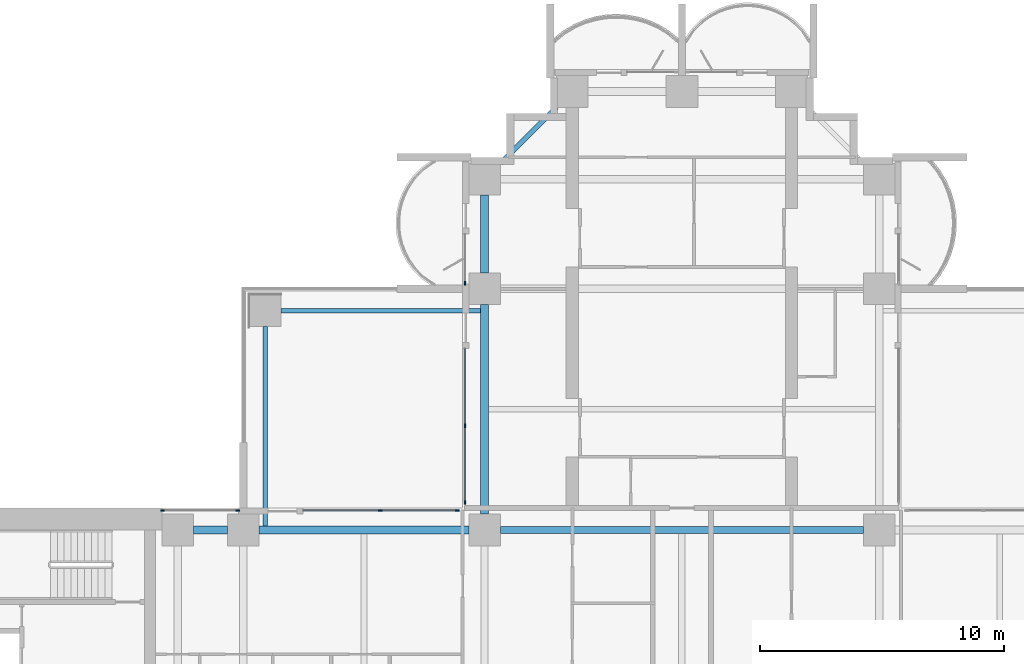
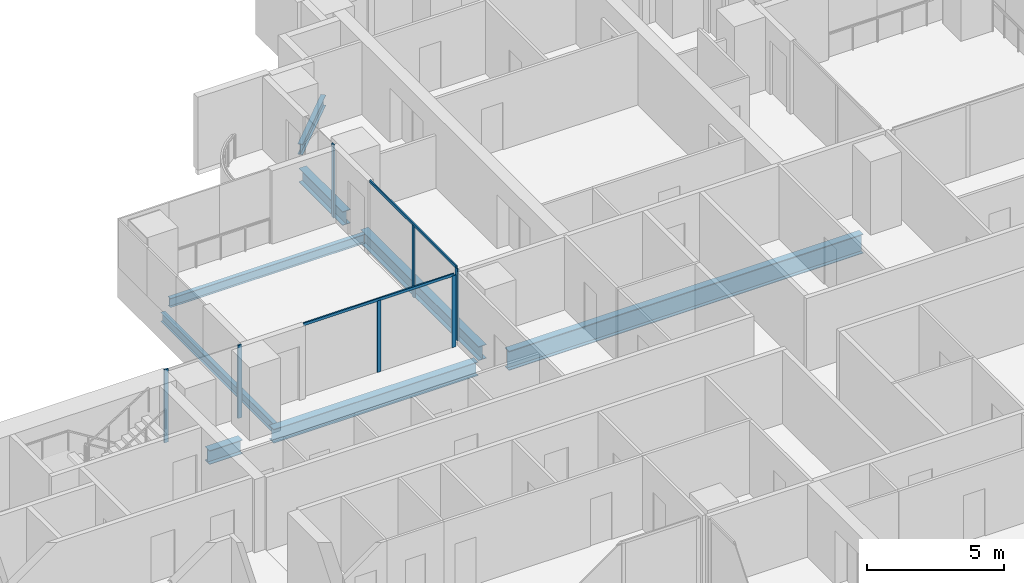
# One storey, part 5 of 21: 9 members, 8 beams, 4 elements without a shape of their own.
"""IFC4 building model written with IfcOpenShell, lengths in metres."""

from ifc_helpers import new_model, si_unit, direction, frame, origin, origin_2d, place, context, subcontext, project, spatial, rectangle, i_section, extrude, material, material_profile, profile_set, type_object, element, aggregate, save


model = new_model("IFC4")

# Units and contexts
model_context = context("Model", 3, precision=1e-05, world=origin(), true_north=direction((0.0, 1.0)))
body_context = subcontext(model_context, "Body", "Model", "MODEL_VIEW")
ifc_project = project(units=[si_unit("LENGTHUNIT", "METRE"), si_unit("AREAUNIT", "SQUARE_METRE"), si_unit("VOLUMEUNIT", "CUBIC_METRE"), si_unit("PLANEANGLEUNIT", "RADIAN"), si_unit("MASSUNIT", "GRAM", prefix="KILO")], contexts=[model_context])

# Site, building, storey
site_placement = place(None, origin())
site = spatial("IfcSite", under=ifc_project, at=site_placement, CompositionType="ELEMENT")
building_placement = place(site_placement, origin())
building = spatial("IfcBuilding", under=site, at=building_placement, Name="Perihelion Cross Residences", CompositionType="ELEMENT")
storey_placement = place(building_placement, frame((0.0, 0.0, 54.0)))
storey = spatial("IfcBuildingStorey", under=building, at=storey_placement, Name="L10", CompositionType="ELEMENT", Elevation=54.0)

# Curtain wall, member
ifc_material_1 = material(Name="Bronze anodised aluminium, tinted glazing", Category="aluminium")
curtain_wall_type = type_object("IfcCurtainWallType", Name="CW1", PredefinedType="NOTDEFINED", material=ifc_material_1)
curtain_wall_1_placement = place(storey_placement, origin())
curtain_wall_1 = element("IfcCurtainWall", 1, at=curtain_wall_1_placement, inside=storey, type_object=curtain_wall_type, Name="Curtain wall CW1 L10 north side west bay 1", PredefinedType="NOTDEFINED")
ifc_material_2 = material(Name="Bronze anodised aluminium", Category="aluminium")
ifc_material_profile_1 = material_profile(ifc_material_2, rectangle(XDim=0.06005859375, YDim=0.159912109375, at=origin_2d()), Name="CW1 mullion")
ifc_profile_set_1 = profile_set([ifc_material_profile_1], Name="Bronze anodised aluminium")
member_type_1 = type_object("IfcMemberType", Name="CW1 mullion", PredefinedType="MULLION", material=ifc_profile_set_1)
member_1_placement = place(storey_placement, frame((-8.89990234375, 18.22998046875, 0.0), z_axis=(0.0, 0.0, 1.0), x_axis=(1.0, 0.0, 0.0)))
member_1 = element("IfcMember", 2, at=member_1_placement, type_object=member_type_1, Name="CW1 mullion 2", PredefinedType="MULLION", context=body_context, shape_type="SweptSolid", body=[
    extrude(rectangle(XDim=0.06005859375, YDim=0.159912109375, at=origin_2d()), origin(), (0.0, 0.0, 1.0), 3.25),
])
aggregate(curtain_wall_1, [member_1])

# Curtain wall, members
curtain_wall_2_placement = place(storey_placement, origin())
curtain_wall_2 = element("IfcCurtainWall", 3, at=curtain_wall_2_placement, inside=storey, type_object=curtain_wall_type, Name="Curtain wall CW1 L10 north side west bay 2", PredefinedType="NOTDEFINED")
member_2_placement = place(storey_placement, frame((-8.89990234375, 12.375, 0.0), z_axis=(0.0, 0.0, 1.0), x_axis=(1.0, 0.0, 0.0)))
member_2 = element("IfcMember", 4, at=member_2_placement, type_object=member_type_1, Name="CW1 mullion 2", PredefinedType="MULLION", context=body_context, shape_type="SweptSolid", body=[
    extrude(rectangle(XDim=0.06005859375, YDim=0.159912109375, at=origin_2d()), origin(), (0.0, 0.0, 1.0), 3.18994140625),
])
member_3_placement = place(storey_placement, frame((-8.89990234375, 9.22998046875, 0.0), z_axis=(0.0, 0.0, 1.0), x_axis=(1.0, 0.0, 0.0)))
member_3 = element("IfcMember", 5, at=member_3_placement, type_object=member_type_1, Name="CW1 mullion 3", PredefinedType="MULLION", context=body_context, shape_type="SweptSolid", body=[
    extrude(rectangle(XDim=0.06005859375, YDim=0.159912109375, at=origin_2d()), origin(), (0.0, 0.0, 1.0), 3.18994140625),
])

curtain_wall_3_placement = place(storey_placement, origin())
curtain_wall_3 = element("IfcCurtainWall", 6, at=curtain_wall_3_placement, inside=storey, type_object=curtain_wall_type, Name="Curtain wall CW1 L10 west side north bay 1", PredefinedType="NOTDEFINED")
member_4_placement = place(storey_placement, frame((-9.22998046875, 8.89990234375, 0.0), z_axis=(0.0, 0.0, 1.0), x_axis=(0.0, -1.0, 0.0)))
member_4 = element("IfcMember", 7, at=member_4_placement, type_object=member_type_1, Name="CW1 mullion 1", PredefinedType="MULLION", context=body_context, shape_type="SweptSolid", body=[
    extrude(rectangle(XDim=0.06005859375, YDim=0.159912109375, at=origin_2d()), origin(), (0.0, 0.0, 1.0), 3.18994140625),
])
member_5_placement = place(storey_placement, frame((-12.375, 8.89990234375, 0.0), z_axis=(0.0, 0.0, 1.0), x_axis=(0.0, -1.0, 0.0)))
member_5 = element("IfcMember", 8, at=member_5_placement, type_object=member_type_1, Name="CW1 mullion 2", PredefinedType="MULLION", context=body_context, shape_type="SweptSolid", body=[
    extrude(rectangle(XDim=0.06005859375, YDim=0.159912109375, at=origin_2d()), origin(), (0.0, 0.0, 1.0), 3.18994140625),
])

curtain_wall_4_placement = place(storey_placement, origin())
curtain_wall_4 = element("IfcCurtainWall", 9, at=curtain_wall_4_placement, inside=storey, type_object=curtain_wall_type, Name="Curtain wall CW1 L10 west side north bay 2", PredefinedType="NOTDEFINED")
member_6_placement = place(storey_placement, frame((-18.22998046875, 8.89990234375, 0.0), z_axis=(0.0, 0.0, 1.0), x_axis=(0.0, -1.0, 0.0)))
member_6 = element("IfcMember", 10, at=member_6_placement, type_object=member_type_1, Name="CW1 mullion 1", PredefinedType="MULLION", context=body_context, shape_type="SweptSolid", body=[
    extrude(rectangle(XDim=0.06005859375, YDim=0.159912109375, at=origin_2d()), origin(), (0.0, 0.0, 1.0), 3.25),
])
member_7_placement = place(storey_placement, frame((-21.320068359375, 8.89990234375, 0.0), z_axis=(0.0, 0.0, 1.0), x_axis=(0.0, -1.0, 0.0)))
member_7 = element("IfcMember", 11, at=member_7_placement, type_object=member_type_1, Name="CW1 mullion 2", PredefinedType="MULLION", context=body_context, shape_type="SweptSolid", body=[
    extrude(rectangle(XDim=0.06005859375, YDim=0.159912109375, at=origin_2d()), origin(), (0.0, 0.0, 1.0), 3.25),
])
aggregate(curtain_wall_4, [member_6, member_7])

# Member
ifc_material_3 = material(Name="Bronze anodised aluminium", Category="aluminium")
ifc_material_profile_2 = material_profile(ifc_material_3, rectangle(XDim=0.06005859375, YDim=0.1201171875, at=origin_2d()), Name="CW1 transom")
ifc_profile_set_2 = profile_set([ifc_material_profile_2], Name="Bronze anodised aluminium")
member_type_2 = type_object("IfcMemberType", Name="CW1 transom", PredefinedType="USERDEFINED", material=ifc_profile_set_2)
member_8_placement = place(storey_placement, frame((-8.89990234375, 15.550048828125, 3.219970703125), z_axis=(0.0, -1.0, 0.0), x_axis=(1.0, 0.0, 0.0)))
member_8 = element("IfcMember", 12, at=member_8_placement, type_object=member_type_2, Name="CW1 head transom", ObjectType="TRANSOM", PredefinedType="USERDEFINED", context=body_context, shape_type="SweptSolid", body=[
    extrude(rectangle(XDim=0.06005859375, YDim=0.1201171875, at=origin_2d()), origin(), (0.0, 0.0, 1.0), 6.320068359375),
])

aggregate(curtain_wall_2, [member_2, member_3, member_8])

member_9_placement = place(storey_placement, frame((-9.22998046875, 8.89990234375, 3.219970703125), z_axis=(-1.0, 0.0, 0.0), x_axis=(0.0, -1.0, 0.0)))
member_9 = element("IfcMember", 13, at=member_9_placement, type_object=member_type_2, Name="CW1 head transom", ObjectType="TRANSOM", PredefinedType="USERDEFINED", context=body_context, shape_type="SweptSolid", body=[
    extrude(rectangle(XDim=0.06005859375, YDim=0.1201171875, at=origin_2d()), origin(), (0.0, 0.0, 1.0), 6.320068359375),
])

aggregate(curtain_wall_3, [member_4, member_5, member_9])

# Beams
ifc_material_4 = material(Name="Steel S355", Category="steel")
ifc_material_profile_3 = material_profile(ifc_material_4, i_section(OverallWidth=0.177978515625, OverallDepth=0.406005859375, WebThickness=0.0078125, FlangeThickness=0.0126953125, at=origin_2d()), Name="W410x60")
ifc_profile_set_3 = profile_set([ifc_material_profile_3], Name="Steel S355")
beam_type_1 = type_object("IfcBeamType", Name="Core edge beam W410x60", PredefinedType="BEAM", material=ifc_profile_set_3)
for number, where, z_axis, x_axis, name in (
    (14, (-17.10009765625, 8.262451171875, -0.452880859375), (0.0, 1.0, 0.0), (-1.0, 0.0, 0.0), "Core edge beam TB2 L10 corner no. 3"),
    (15, (-8.262451171875, 17.10009765625, -0.452880859375), (-1.0, 0.0, 0.0), (0.0, -1.0, 0.0), "Core edge beam TB2 L10 corner no. 4"),
):
    element("IfcBeam", number, at=place(storey_placement, frame(where, z_axis=z_axis, x_axis=x_axis)), inside=storey, type_object=beam_type_1, Name=name, PredefinedType="BEAM", context=body_context, shape_type="SweptSolid", body=[
        extrude(i_section(OverallWidth=0.177978515625, OverallDepth=0.406005859375, WebThickness=0.0078125, FlangeThickness=0.0126953125, at=origin_2d()), origin(), (0.0, 0.0, 1.0), 8.1875),
    ])
ifc_material_5 = material(Name="Steel S355", Category="steel")
ifc_material_profile_4 = material_profile(ifc_material_5, i_section(OverallWidth=0.324951171875, OverallDepth=0.616943359375, WebThickness=0.013916015625, FlangeThickness=0.021484375, at=origin_2d()), Name="W610x174")
ifc_profile_set_4 = profile_set([ifc_material_profile_4], Name="Steel S355")
beam_type_2 = type_object("IfcBeamType", Name="Edge beam W610x174", PredefinedType="SPANDREL", material=ifc_profile_set_4)
beam_1_placement = place(storey_placement, frame((-8.10009765625, 21.85009765625, -0.55859375), z_axis=(0.0, -1.0, 0.0), x_axis=(1.0, 0.0, 0.0)))
element("IfcBeam", 16, at=beam_1_placement, inside=storey, type_object=beam_type_2, Name="Edge beam SB2 L10 no. 8", PredefinedType="SPANDREL", context=body_context, shape_type="SweptSolid", body=[
    extrude(i_section(OverallWidth=0.324951171875, OverallDepth=0.616943359375, WebThickness=0.013916015625, FlangeThickness=0.021484375, at=origin_2d()), origin(), (0.0, 0.0, 1.0), 3.2001953125),
])
for number, where, z_axis, x_axis, name in (
    (17, (-8.10009765625, 17.35009765625, -0.55859375), (0.0, -1.0, 0.0), (1.0, 0.0, 0.0), "Edge beam SB2 L10 no. 7"),
    (18, (-8.75, 8.10009765625, -0.55859375), (-1.0, 0.0, 0.0), (0.0, -1.0, 0.0), "Edge beam SB2 L10 no. 9"),
):
    element("IfcBeam", number, at=place(storey_placement, frame(where, z_axis=z_axis, x_axis=x_axis)), inside=storey, type_object=beam_type_2, Name=name, PredefinedType="SPANDREL", context=body_context, shape_type="SweptSolid", body=[
        extrude(i_section(OverallWidth=0.324951171875, OverallDepth=0.616943359375, WebThickness=0.013916015625, FlangeThickness=0.021484375, at=origin_2d()), origin(), (0.0, 0.0, 1.0), 8.60009765625),
    ])
beam_2_placement = place(storey_placement, frame((-18.64990234375, 8.10009765625, -0.55859375), z_axis=(-1.0, 0.0, 0.0), x_axis=(0.0, -1.0, 0.0)))
element("IfcBeam", 19, at=beam_2_placement, inside=storey, type_object=beam_type_2, Name="Edge beam SB2 L10 no. 2", PredefinedType="SPANDREL", context=body_context, shape_type="SweptSolid", body=[
    extrude(i_section(OverallWidth=0.324951171875, OverallDepth=0.616943359375, WebThickness=0.013916015625, FlangeThickness=0.021484375, at=origin_2d()), origin(), (0.0, 0.0, 1.0), 1.400146484375),
])
ifc_material_6 = material(Name="Steel S355", Category="steel")
ifc_material_profile_5 = material_profile(ifc_material_6, i_section(OverallWidth=0.2919921875, OverallDepth=0.85888671875, WebThickness=0.01708984375, FlangeThickness=0.031005859375, at=origin_2d()), Name="W840x251")
ifc_profile_set_5 = profile_set([ifc_material_profile_5], Name="Steel S355")
beam_type_3 = type_object("IfcBeamType", Name="Hub ring girder W840x251", PredefinedType="BEAM", material=ifc_profile_set_5)
beam_3_placement = place(storey_placement, frame((7.449951171875, 8.10009765625, -0.679443359375), z_axis=(-1.0, 0.0, 0.0), x_axis=(0.0, -1.0, 0.0)))
element("IfcBeam", 20, at=beam_3_placement, inside=storey, type_object=beam_type_3, Name="Hub ring girder RG2 L10 no. 4", PredefinedType="BEAM", context=body_context, shape_type="SweptSolid", body=[
    extrude(i_section(OverallWidth=0.2919921875, OverallDepth=0.85888671875, WebThickness=0.01708984375, FlangeThickness=0.031005859375, at=origin_2d()), origin(), (0.0, 0.0, 1.0), 14.89990234375),
])
ifc_material_7 = material(Name="Steel S355", Category="steel")
ifc_material_profile_6 = material_profile(ifc_material_7, i_section(OverallWidth=0.194091796875, OverallDepth=0.469970703125, WebThickness=0.0126953125, FlangeThickness=0.0205078125, at=origin_2d()), Name="W460x106")
ifc_profile_set_6 = profile_set([ifc_material_profile_6], Name="Steel S355")
beam_type_4 = type_object("IfcBeamType", Name="Serration edge beam W460x106", PredefinedType="BEAM", material=ifc_profile_set_6)
beam_4_placement = place(storey_placement, frame((-5.14990234375, 25.449951171875, -0.485107421875), z_axis=(-0.707106781187, -0.707106781187, 0.0), x_axis=(0.707106781187, -0.707106781187, 0.0)))
element("IfcBeam", 21, at=beam_4_placement, inside=storey, type_object=beam_type_4, Name="Serration edge beam EB2 L10 no. 1", PredefinedType="BEAM", context=body_context, shape_type="SweptSolid", body=[
    extrude(i_section(OverallWidth=0.194091796875, OverallDepth=0.469970703125, WebThickness=0.0126953125, FlangeThickness=0.0205078125, at=origin_2d()), origin(), (0.0, 0.0, 1.0), 3.252685546875),
])

save(model, "model.ifc")
